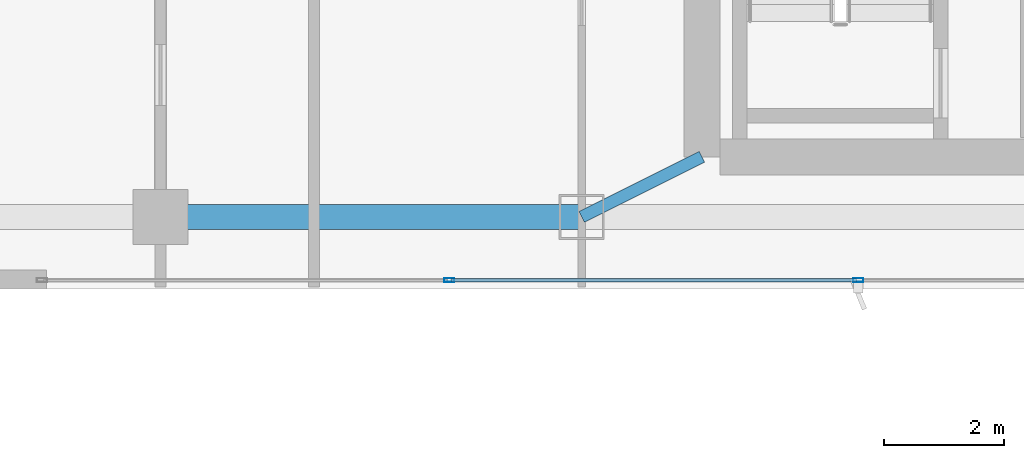
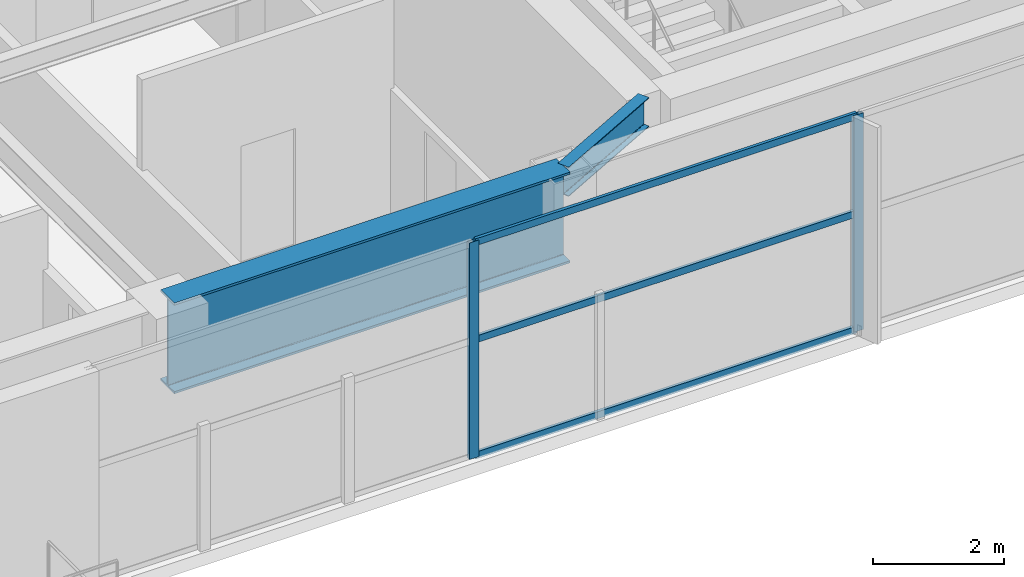
# One storey, part 6 of 26: 5 members, 2 beams, 1 element without a shape of its own.
"""IFC4 building model written with IfcOpenShell, lengths in metres."""

from ifc_helpers import new_model, si_unit, direction, frame, origin, origin_2d, place, context, subcontext, project, spatial, hollow_rectangle, i_section, extrude, material, layer, layer_set, material_profile, profile_set, type_object, element, aggregate, save


model = new_model("IFC4")

# Units and contexts
model_context = context("Model", 3, precision=1e-05, world=origin(), true_north=direction((0.0, 1.0)))
body_context = subcontext(model_context, "Body", "Model", "MODEL_VIEW")
ifc_project = project(units=[si_unit("LENGTHUNIT", "METRE"), si_unit("AREAUNIT", "SQUARE_METRE"), si_unit("VOLUMEUNIT", "CUBIC_METRE"), si_unit("PLANEANGLEUNIT", "RADIAN"), si_unit("MASSUNIT", "GRAM", prefix="KILO")], contexts=[model_context])

# Site, building, storey
site_placement = place(None, origin())
site = spatial("IfcSite", under=ifc_project, at=site_placement, CompositionType="ELEMENT")
building_placement = place(site_placement, origin())
building = spatial("IfcBuilding", under=site, at=building_placement, Name="Calvorn Quay Hotel", CompositionType="ELEMENT")
storey_placement = place(building_placement, frame((0.0, 0.0, 302.5)))
storey = spatial("IfcBuildingStorey", under=building, at=storey_placement, Name="L75", CompositionType="ELEMENT", Elevation=302.5)

# Beams
ifc_material_1 = material(Name="Steel Q355B", Category="steel")
ifc_material_profile_1 = material_profile(ifc_material_1, i_section(OverallWidth=0.199951171875, OverallDepth=0.550048828125, WebThickness=0.010009765625, FlangeThickness=0.01611328125, FilletRadius=0.01806640625, at=origin_2d()), Name="HN550x200x10x16")
ifc_profile_set_1 = profile_set([ifc_material_profile_1], Name="Steel Q355B")
beam_type_1 = type_object("IfcBeamType", Name="BM-GIRD-UPP", PredefinedType="BEAM", material=ifc_profile_set_1)
beam_1_placement = place(storey_placement, frame((19.60009765625, 3.60009765625, 3.77490234375), z_axis=(0.894427191, 0.4472135955, 0.0), x_axis=(-0.4472135955, 0.894427191, 0.0)))
element("IfcBeam", 1, at=beam_1_placement, inside=storey, type_object=beam_type_1, Name="Beam BG-L75-S2", PredefinedType="BEAM", context=body_context, shape_type="SweptSolid", body=[
    extrude(i_section(OverallWidth=0.199951171875, OverallDepth=0.550048828125, WebThickness=0.010009765625, FlangeThickness=0.01611328125, FilletRadius=0.01806640625, at=origin_2d()), origin(), (0.0, 0.0, 1.0), 2.236083984375),
])
ifc_material_2 = material(Name="Steel Q420GJC", Category="steel")
ifc_material_profile_2 = material_profile(ifc_material_2, i_section(OverallWidth=0.419921875, OverallDepth=1.699951171875, WebThickness=0.02392578125, FlangeThickness=0.0419921875, FilletRadius=0.02392578125, at=origin_2d()), Name="HN1700x420x24x42")
ifc_profile_set_2 = profile_set([ifc_material_profile_2], Name="Steel Q420GJC")
beam_type_2 = type_object("IfcBeamType", Name="BM-XFER-SAWTOOTH", PredefinedType="BEAM", material=ifc_profile_set_2)
beam_2_placement = place(storey_placement, frame((12.60009765625, 3.60009765625, 3.199951171875), z_axis=(1.0, 0.0, 0.0), x_axis=(0.0, 1.0, 0.0)))
element("IfcBeam", 2, at=beam_2_placement, inside=storey, type_object=beam_type_2, Name="Beam BSP-L75-S2", PredefinedType="BEAM", context=body_context, shape_type="SweptSolid", body=[
    extrude(i_section(OverallWidth=0.419921875, OverallDepth=1.699951171875, WebThickness=0.02392578125, FlangeThickness=0.0419921875, FilletRadius=0.02392578125, at=origin_2d()), origin(), (0.0, 0.0, 1.0), 7.0),
])

# Curtain wall, members
ifc_material_3 = material(Name="Champagne Bronze Anodised Aluminium and Low-E Glass", Category="aluminium")
ifc_layer = layer(ifc_material_3, 0.219970703125)
ifc_layer_set = layer_set([ifc_layer], Name="CW-SYS-Z4")
curtain_wall_type = type_object("IfcCurtainWallType", Name="CW-SYS-Z4", PredefinedType="NOTDEFINED", material=ifc_layer_set)
curtain_wall_placement = place(storey_placement, origin())
curtain_wall = element("IfcCurtainWall", 3, at=curtain_wall_placement, inside=storey, type_object=curtain_wall_type, Name="Tower South Waterfront Curtain Wall (L75)", PredefinedType="NOTDEFINED")
ifc_material_4 = material(Name="Champagne Bronze Anodised Aluminium 6063-T6", Category="aluminium")
ifc_material_profile_3 = material_profile(ifc_material_4, hollow_rectangle(XDim=0.06494140625, YDim=0.169921875, WallThickness=0.00341796875, at=origin_2d()), Name="ALU-M170x65x3.5")
ifc_profile_set_3 = profile_set([ifc_material_profile_3], Name="Champagne Bronze Anodised Aluminium 6063-T6")
member_type_1 = type_object("IfcMemberType", Name="CW-SYS-Z4-MUL", PredefinedType="MULLION", material=ifc_profile_set_3)
member_1_placement = place(storey_placement, frame((17.39990234375, 2.550048828125, 0.0), z_axis=(0.0, 0.0, 1.0), x_axis=(0.0, 1.0, 0.0)))
member_1 = element("IfcMember", 4, at=member_1_placement, type_object=member_type_1, Name="CW-L75-S mullion 2", PredefinedType="MULLION", context=body_context, shape_type="SweptSolid", body=[
    extrude(hollow_rectangle(XDim=0.06494140625, YDim=0.169921875, WallThickness=0.00341796875, at=origin_2d()), origin(), (0.0, 0.0, 1.0), 4.050048828125),
])
member_2_placement = place(storey_placement, frame((24.199951171875, 2.550048828125, 0.0), z_axis=(0.0, 0.0, 1.0), x_axis=(0.0, 1.0, 0.0)))
member_2 = element("IfcMember", 5, at=member_2_placement, type_object=member_type_1, Name="CW-L75-S mullion 3", PredefinedType="MULLION", context=body_context, shape_type="SweptSolid", body=[
    extrude(hollow_rectangle(XDim=0.06494140625, YDim=0.169921875, WallThickness=0.00341796875, at=origin_2d()), origin(), (0.0, 0.0, 1.0), 4.050048828125),
])
ifc_material_5 = material(Name="Champagne Bronze Anodised Aluminium 6063-T6", Category="aluminium")
ifc_material_profile_4 = material_profile(ifc_material_5, hollow_rectangle(XDim=0.054931640625, YDim=0.1298828125, WallThickness=0.003173828125, at=origin_2d()), Name="ALU-T130x55x3.2")
ifc_profile_set_4 = profile_set([ifc_material_profile_4], Name="Champagne Bronze Anodised Aluminium 6063-T6")
member_type_2 = type_object("IfcMemberType", Name="CW-SYS-Z4-TRN", PredefinedType="USERDEFINED", material=ifc_profile_set_4)
member_3_placement = place(storey_placement, frame((17.429931640625, 2.550048828125, 0.030029296875), z_axis=(1.0, 0.0, 0.0), x_axis=(0.0, 1.0, 0.0)))
member_3 = element("IfcMember", 6, at=member_3_placement, type_object=member_type_2, Name="CW-L75-S transom 2.1", ObjectType="TRANSOM", PredefinedType="USERDEFINED", context=body_context, shape_type="SweptSolid", body=[
    extrude(hollow_rectangle(XDim=0.054931640625, YDim=0.1298828125, WallThickness=0.003173828125, at=origin_2d()), origin(), (0.0, 0.0, 1.0), 6.739990234375),
])
member_4_placement = place(storey_placement, frame((17.429931640625, 2.550048828125, 2.199951171875), z_axis=(1.0, 0.0, 0.0), x_axis=(0.0, 1.0, 0.0)))
member_4 = element("IfcMember", 7, at=member_4_placement, type_object=member_type_2, Name="CW-L75-S transom 2.2", ObjectType="TRANSOM", PredefinedType="USERDEFINED", context=body_context, shape_type="SweptSolid", body=[
    extrude(hollow_rectangle(XDim=0.054931640625, YDim=0.1298828125, WallThickness=0.003173828125, at=origin_2d()), origin(), (0.0, 0.0, 1.0), 6.739990234375),
])
member_5_placement = place(storey_placement, frame((17.429931640625, 2.550048828125, 4.02001953125), z_axis=(1.0, 0.0, 0.0), x_axis=(0.0, 1.0, 0.0)))
member_5 = element("IfcMember", 8, at=member_5_placement, type_object=member_type_2, Name="CW-L75-S transom 2.3", ObjectType="TRANSOM", PredefinedType="USERDEFINED", context=body_context, shape_type="SweptSolid", body=[
    extrude(hollow_rectangle(XDim=0.054931640625, YDim=0.1298828125, WallThickness=0.003173828125, at=origin_2d()), origin(), (0.0, 0.0, 1.0), 6.739990234375),
])
aggregate(curtain_wall, [member_1, member_2, member_3, member_4, member_5])

save(model, "model.ifc")
